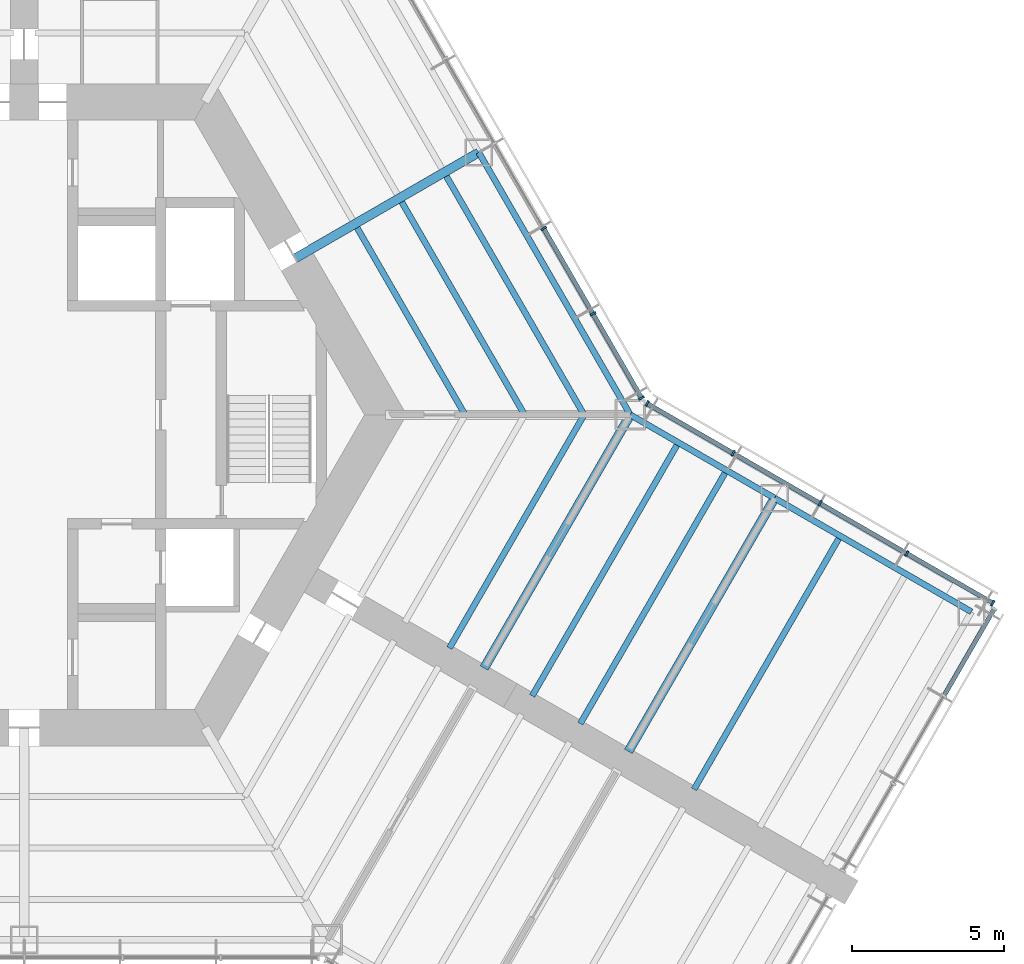
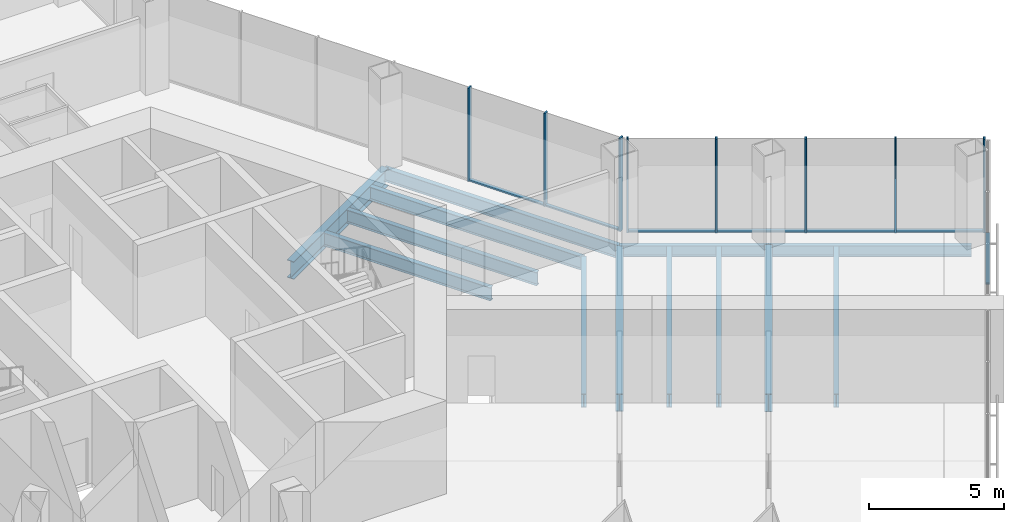
# One storey, part 5 of 15: 15 members, 13 beams, 3 elements without a shape of their own.
"""IFC4 building model written with IfcOpenShell, lengths in metres."""

from ifc_helpers import new_model, si_unit, direction, frame, origin, origin_2d, place, context, subcontext, project, spatial, rectangle, i_section, extrude, material, material_profile, profile_set, type_object, element, aggregate, save


model = new_model("IFC4")

# Units and contexts
model_context = context("Model", 3, precision=1e-05, world=origin(), true_north=direction((0.0, 1.0)))
body_context = subcontext(model_context, "Body", "Model", "MODEL_VIEW")
ifc_project = project(units=[si_unit("LENGTHUNIT", "METRE"), si_unit("AREAUNIT", "SQUARE_METRE"), si_unit("VOLUMEUNIT", "CUBIC_METRE"), si_unit("PLANEANGLEUNIT", "RADIAN"), si_unit("MASSUNIT", "GRAM", prefix="KILO")], contexts=[model_context])

# Site, building, storey
site_placement = place(None, origin())
site = spatial("IfcSite", under=ifc_project, at=site_placement, CompositionType="ELEMENT")
building_placement = place(site_placement, origin())
building = spatial("IfcBuilding", under=site, at=building_placement, Name="Kasaneha Research Tower", CompositionType="ELEMENT")
storey_placement = place(building_placement, frame((0.0, 0.0, 39.39990234375)))
storey = spatial("IfcBuildingStorey", under=building, at=storey_placement, Name="L10", CompositionType="ELEMENT", Elevation=39.39990234375)

# Beams
ifc_material_1 = material(Name="Steel SN490B", Category="steel")
ifc_material_profile_1 = material_profile(ifc_material_1, i_section(OverallWidth=0.199951171875, OverallDepth=0.60009765625, WebThickness=0.010986328125, FlangeThickness=0.01708984375, FilletRadius=0.012939453125, at=origin_2d()), Name="H-600x200x11x17")
ifc_profile_set_1 = profile_set([ifc_material_profile_1], Name="Steel SN490B")
beam_type_1 = type_object("IfcBeamType", Name="B1-2 secondary beam H-600x200x11x17", PredefinedType="JOIST", material=ifc_profile_set_1)
beam_1_placement = place(storey_placement, frame((14.54931640625, 0.0, -0.469970703125), z_axis=(-0.500016104636, 0.866016105569, 0.0), x_axis=(-0.866016105569, -0.500016104636, 0.0)))
element("IfcBeam", 1, at=beam_1_placement, inside=storey, type_object=beam_type_1, Name="Secondary beam RS030L1 L10", PredefinedType="JOIST", context=body_context, shape_type="SweptSolid", body=[
    extrude(i_section(OverallWidth=0.199951171875, OverallDepth=0.60009765625, WebThickness=0.010986328125, FlangeThickness=0.01708984375, FilletRadius=0.012939453125, at=origin_2d()), origin(), (0.0, 0.0, 1.0), 7.124755859375),
])
beam_2_placement = place(storey_placement, frame((16.51220703125, 0.0, -0.469970703125), z_axis=(-0.49999707157, 0.866027094508, 0.0), x_axis=(-0.866027094508, -0.49999707157, 0.0)))
element("IfcBeam", 2, at=beam_2_placement, inside=storey, type_object=beam_type_1, Name="Secondary beam RS030L2 L10", PredefinedType="JOIST", context=body_context, shape_type="SweptSolid", body=[
    extrude(i_section(OverallWidth=0.199951171875, OverallDepth=0.60009765625, WebThickness=0.010986328125, FlangeThickness=0.01708984375, FilletRadius=0.012939453125, at=origin_2d()), origin(), (0.0, 0.0, 1.0), 8.10595703125),
])
beam_3_placement = place(storey_placement, frame((18.47509765625, 0.0, -0.469970703125), z_axis=(-0.499990665392, 0.866030793056, 0.0), x_axis=(-0.866030793056, -0.499990665392, 0.0)))
element("IfcBeam", 3, at=beam_3_placement, inside=storey, type_object=beam_type_1, Name="Secondary beam RS030L3 L10", PredefinedType="JOIST", context=body_context, shape_type="SweptSolid", body=[
    extrude(i_section(OverallWidth=0.199951171875, OverallDepth=0.60009765625, WebThickness=0.010986328125, FlangeThickness=0.01708984375, FilletRadius=0.012939453125, at=origin_2d()), origin(), (0.0, 0.0, 1.0), 9.087646484375),
])
beam_4_placement = place(storey_placement, frame((18.47509765625, 0.0, -0.469970703125), z_axis=(-0.499988779951, -0.866031881586, 0.0), x_axis=(0.866031881586, -0.499988779951, 0.0)))
element("IfcBeam", 4, at=beam_4_placement, inside=storey, type_object=beam_type_1, Name="Secondary beam RS330R3 L10", PredefinedType="JOIST", context=body_context, shape_type="SweptSolid", body=[
    extrude(i_section(OverallWidth=0.199951171875, OverallDepth=0.60009765625, WebThickness=0.010986328125, FlangeThickness=0.01708984375, FilletRadius=0.012939453125, at=origin_2d()), origin(), (0.0, 0.0, 1.0), 8.887451171875),
])
ifc_material_2 = material(Name="Steel SN490B", Category="steel")
ifc_material_profile_2 = material_profile(ifc_material_2, i_section(OverallWidth=0.198974609375, OverallDepth=0.595947265625, WebThickness=0.010009765625, FlangeThickness=0.014892578125, FilletRadius=0.012939453125, at=origin_2d()), Name="H-596x199x10x15")
ifc_profile_set_2 = profile_set([ifc_material_profile_2], Name="Steel SN490B")
beam_type_2 = type_object("IfcBeamType", Name="B2-2 secondary beam H-596x199x10x15", PredefinedType="JOIST", material=ifc_profile_set_2)
beam_5_placement = place(storey_placement, frame((21.587646484375, -0.916748046875, -0.468017578125), z_axis=(-0.499994742786, -0.866028439017, 0.0), x_axis=(0.866028439017, -0.499994742786, 0.0)))
element("IfcBeam", 5, at=beam_5_placement, inside=storey, type_object=beam_type_2, Name="Secondary beam WBCN1 L10", PredefinedType="JOIST", context=body_context, shape_type="SweptSolid", body=[
    extrude(i_section(OverallWidth=0.198974609375, OverallDepth=0.595947265625, WebThickness=0.010009765625, FlangeThickness=0.014892578125, FilletRadius=0.012939453125, at=origin_2d()), origin(), (0.0, 0.0, 1.0), 9.64990234375),
])
beam_6_placement = place(storey_placement, frame((23.175537109375, -1.833251953125, -0.468017578125), z_axis=(-0.500013717211, -0.866017484004, 0.0), x_axis=(0.866017484004, -0.500013717211, 0.0)))
element("IfcBeam", 6, at=beam_6_placement, inside=storey, type_object=beam_type_2, Name="Secondary beam WBCN2 L10", PredefinedType="JOIST", context=body_context, shape_type="SweptSolid", body=[
    extrude(i_section(OverallWidth=0.198974609375, OverallDepth=0.595947265625, WebThickness=0.010009765625, FlangeThickness=0.014892578125, FilletRadius=0.012939453125, at=origin_2d()), origin(), (0.0, 0.0, 1.0), 9.650146484375),
])
beam_7_placement = place(storey_placement, frame((26.92822265625, -4.0, -0.468017578125), z_axis=(-0.499994742786, -0.866028439017, 0.0), x_axis=(0.866028439017, -0.499994742786, 0.0)))
element("IfcBeam", 7, at=beam_7_placement, inside=storey, type_object=beam_type_2, Name="Secondary beam WBCN3 L10", PredefinedType="JOIST", context=body_context, shape_type="SweptSolid", body=[
    extrude(i_section(OverallWidth=0.198974609375, OverallDepth=0.595947265625, WebThickness=0.010009765625, FlangeThickness=0.014892578125, FilletRadius=0.012939453125, at=origin_2d()), origin(), (0.0, 0.0, 1.0), 9.64990234375),
])

# Curtain wall, members
ifc_material_3 = material(Name="Glass and aluminium", Category="aluminium")
curtain_wall_type = type_object("IfcCurtainWallType", Name="Dry laboratory curtain wall", PredefinedType="USERDEFINED", material=ifc_material_3)
curtain_wall_1_placement = place(storey_placement, origin())
curtain_wall_1 = element("IfcCurtainWall", 8, at=curtain_wall_1_placement, inside=storey, type_object=curtain_wall_type, Name="CW-L2 L10 run 06a", ObjectType="UNITISED CURTAIN WALL", PredefinedType="USERDEFINED")
ifc_material_4 = material(Name="Aluminium 6063-T6", Category="aluminium")
ifc_material_profile_3 = material_profile(ifc_material_4, rectangle(XDim=0.06494140625, YDim=0.199951171875, at=origin_2d()), Name="CW-L2 mullion 65x200")
ifc_profile_set_3 = profile_set([ifc_material_profile_3], Name="Aluminium 6063-T6")
member_type_1 = type_object("IfcMemberType", Name="CW-L2 mullion", PredefinedType="MULLION", material=ifc_profile_set_3)
member_1_placement = place(storey_placement, frame((31.963134765625, -6.214111328125, 0.0), z_axis=(0.0, 0.0, 1.0), x_axis=(-0.866025411464, 0.499999986699, 0.0)))
member_1 = element("IfcMember", 9, at=member_1_placement, type_object=member_type_1, Name="CW-L2 mullion 1", PredefinedType="MULLION", context=body_context, shape_type="SweptSolid", body=[
    extrude(rectangle(XDim=0.06494140625, YDim=0.199951171875, at=origin_2d()), origin(), (0.0, 0.0, 1.0), 4.2001953125),
])
member_2_placement = place(storey_placement, frame((29.125, -4.575439453125, 0.0), z_axis=(0.0, 0.0, 1.0), x_axis=(-0.866025411464, 0.499999986699, 0.0)))
member_2 = element("IfcMember", 10, at=member_2_placement, type_object=member_type_1, Name="CW-L2 mullion 2", PredefinedType="MULLION", context=body_context, shape_type="SweptSolid", body=[
    extrude(rectangle(XDim=0.06494140625, YDim=0.199951171875, at=origin_2d()), origin(), (0.0, 0.0, 1.0), 4.2001953125),
])
member_3_placement = place(storey_placement, frame((26.258544921875, -2.920654296875, 0.0), z_axis=(0.0, 0.0, 1.0), x_axis=(-0.866025411464, 0.499999986699, 0.0)))
member_3 = element("IfcMember", 11, at=member_3_placement, type_object=member_type_1, Name="CW-L2 mullion 3", PredefinedType="MULLION", context=body_context, shape_type="SweptSolid", body=[
    extrude(rectangle(XDim=0.06494140625, YDim=0.199951171875, at=origin_2d()), origin(), (0.0, 0.0, 1.0), 4.2001953125),
])
member_4_placement = place(storey_placement, frame((23.39208984375, -1.265625, 0.0), z_axis=(0.0, 0.0, 1.0), x_axis=(-0.866025411464, 0.499999986699, 0.0)))
member_4 = element("IfcMember", 12, at=member_4_placement, type_object=member_type_1, Name="CW-L2 mullion 4", PredefinedType="MULLION", context=body_context, shape_type="SweptSolid", body=[
    extrude(rectangle(XDim=0.06494140625, YDim=0.199951171875, at=origin_2d()), origin(), (0.0, 0.0, 1.0), 4.2001953125),
])
member_5_placement = place(storey_placement, frame((20.553955078125, 0.373046875, 0.0), z_axis=(0.0, 0.0, 1.0), x_axis=(-0.866025411464, 0.499999986699, 0.0)))
member_5 = element("IfcMember", 13, at=member_5_placement, type_object=member_type_1, Name="CW-L2 mullion 5", PredefinedType="MULLION", context=body_context, shape_type="SweptSolid", body=[
    extrude(rectangle(XDim=0.06494140625, YDim=0.199951171875, at=origin_2d()), origin(), (0.0, 0.0, 1.0), 4.2001953125),
])

curtain_wall_2_placement = place(storey_placement, origin())
curtain_wall_2 = element("IfcCurtainWall", 14, at=curtain_wall_2_placement, inside=storey, type_object=curtain_wall_type, Name="CW-L2 L10 run 07a", ObjectType="UNITISED CURTAIN WALL", PredefinedType="USERDEFINED")
member_6_placement = place(storey_placement, frame((20.373046875, 0.553955078125, 0.0), z_axis=(0.0, 0.0, 1.0), x_axis=(-0.49999996188, 0.866025425793, 0.0)))
member_6 = element("IfcMember", 15, at=member_6_placement, type_object=member_type_1, Name="CW-L2 mullion 1", PredefinedType="MULLION", context=body_context, shape_type="SweptSolid", body=[
    extrude(rectangle(XDim=0.06494140625, YDim=0.199951171875, at=origin_2d()), origin(), (0.0, 0.0, 1.0), 4.2001953125),
])
member_7_placement = place(storey_placement, frame((18.76611328125, 3.33740234375, 0.0), z_axis=(0.0, 0.0, 1.0), x_axis=(-0.49999996188, 0.866025425793, 0.0)))
member_7 = element("IfcMember", 16, at=member_7_placement, type_object=member_type_1, Name="CW-L2 mullion 2", PredefinedType="MULLION", context=body_context, shape_type="SweptSolid", body=[
    extrude(rectangle(XDim=0.06494140625, YDim=0.199951171875, at=origin_2d()), origin(), (0.0, 0.0, 1.0), 4.2001953125),
])
member_8_placement = place(storey_placement, frame((17.142822265625, 6.148681640625, 0.0), z_axis=(0.0, 0.0, 1.0), x_axis=(-0.49999996188, 0.866025425793, 0.0)))
member_8 = element("IfcMember", 17, at=member_8_placement, type_object=member_type_1, Name="CW-L2 mullion 3", PredefinedType="MULLION", context=body_context, shape_type="SweptSolid", body=[
    extrude(rectangle(XDim=0.06494140625, YDim=0.199951171875, at=origin_2d()), origin(), (0.0, 0.0, 1.0), 4.2001953125),
])

# Curtain wall, member
curtain_wall_3_placement = place(storey_placement, origin())
curtain_wall_3 = element("IfcCurtainWall", 18, at=curtain_wall_3_placement, inside=storey, type_object=curtain_wall_type, Name="CW-L2 L10 run 05a", ObjectType="UNITISED CURTAIN WALL", PredefinedType="USERDEFINED")
ifc_material_5 = material(Name="Aluminium 6063-T6", Category="aluminium")
ifc_material_profile_4 = material_profile(ifc_material_5, rectangle(XDim=0.14990234375, YDim=0.06494140625, at=origin_2d()), Name="CW-L2 transom 150x65")
ifc_profile_set_4 = profile_set([ifc_material_profile_4], Name="Aluminium 6063-T6")
member_type_2 = type_object("IfcMemberType", Name="CW-L2 transom", PredefinedType="USERDEFINED", material=ifc_profile_set_4)
member_9_placement = place(storey_placement, frame((30.369140625, -9.239990234375, 0.03271484375), z_axis=(0.500006189695, 0.866021830133, 0.0), x_axis=(-0.866021830133, 0.500006189695, 0.0)))
member_9 = element("IfcMember", 19, at=member_9_placement, type_object=member_type_2, Name="CW-L2 transom 3", ObjectType="TRANSOM", PredefinedType="USERDEFINED", context=body_context, shape_type="SweptSolid", body=[
    extrude(rectangle(XDim=0.14990234375, YDim=0.06494140625, at=origin_2d()), origin(), (0.0, 0.0, 1.0), 3.25244140625),
])
aggregate(curtain_wall_3, [member_9])

# Member
member_10_placement = place(storey_placement, frame((31.93505859375, -6.197998046875, 0.03271484375), z_axis=(-0.866022320763, 0.500005339912, 0.0), x_axis=(-0.500005339912, -0.866022320763, 0.0)))
member_10 = element("IfcMember", 20, at=member_10_placement, type_object=member_type_2, Name="CW-L2 transom 1", ObjectType="TRANSOM", PredefinedType="USERDEFINED", context=body_context, shape_type="SweptSolid", body=[
    extrude(rectangle(XDim=0.14990234375, YDim=0.06494140625, at=origin_2d()), origin(), (0.0, 0.0, 1.0), 3.21240234375),
])

member_11_placement = place(storey_placement, frame((29.096923828125, -4.559326171875, 0.03271484375), z_axis=(-0.866021460221, 0.500006830391, 0.0), x_axis=(-0.500006830391, -0.866021460221, 0.0)))
member_11 = element("IfcMember", 21, at=member_11_placement, type_object=member_type_2, Name="CW-L2 transom 2", ObjectType="TRANSOM", PredefinedType="USERDEFINED", context=body_context, shape_type="SweptSolid", body=[
    extrude(rectangle(XDim=0.14990234375, YDim=0.06494140625, at=origin_2d()), origin(), (0.0, 0.0, 1.0), 3.2451171875),
])

member_12_placement = place(storey_placement, frame((26.23046875, -2.904296875, 0.03271484375), z_axis=(-0.866035229914, 0.499982980259, 0.0), x_axis=(-0.499982980259, -0.866035229914, 0.0)))
member_12 = element("IfcMember", 22, at=member_12_placement, type_object=member_type_2, Name="CW-L2 transom 3", ObjectType="TRANSOM", PredefinedType="USERDEFINED", context=body_context, shape_type="SweptSolid", body=[
    extrude(rectangle(XDim=0.14990234375, YDim=0.06494140625, at=origin_2d()), origin(), (0.0, 0.0, 1.0), 3.24462890625),
])

member_13_placement = place(storey_placement, frame((23.364013671875, -1.24951171875, 0.03271484375), z_axis=(-0.866022320763, 0.500005339912, 0.0), x_axis=(-0.500005339912, -0.866022320763, 0.0)))
member_13 = element("IfcMember", 23, at=member_13_placement, type_object=member_type_2, Name="CW-L2 transom 4", ObjectType="TRANSOM", PredefinedType="USERDEFINED", context=body_context, shape_type="SweptSolid", body=[
    extrude(rectangle(XDim=0.14990234375, YDim=0.06494140625, at=origin_2d()), origin(), (0.0, 0.0, 1.0), 3.21240234375),
])

aggregate(curtain_wall_1, [member_1, member_2, member_3, member_4, member_5, member_10, member_11, member_12, member_13])

member_14_placement = place(storey_placement, frame((20.356689453125, 0.58203125, 0.03271484375), z_axis=(-0.49999985423, 0.866025487945, 0.0), x_axis=(-0.866025487945, -0.49999985423, 0.0)))
member_14 = element("IfcMember", 24, at=member_14_placement, type_object=member_type_2, Name="CW-L2 transom 1", ObjectType="TRANSOM", PredefinedType="USERDEFINED", context=body_context, shape_type="SweptSolid", body=[
    extrude(rectangle(XDim=0.14990234375, YDim=0.06494140625, at=origin_2d()), origin(), (0.0, 0.0, 1.0), 3.14892578125),
])

member_15_placement = place(storey_placement, frame((18.749755859375, 3.365478515625, 0.03271484375), z_axis=(-0.499977104415, 0.866038622153, 0.0), x_axis=(-0.866038622153, -0.499977104415, 0.0)))
member_15 = element("IfcMember", 25, at=member_15_placement, type_object=member_type_2, Name="CW-L2 transom 2", ObjectType="TRANSOM", PredefinedType="USERDEFINED", context=body_context, shape_type="SweptSolid", body=[
    extrude(rectangle(XDim=0.14990234375, YDim=0.06494140625, at=origin_2d()), origin(), (0.0, 0.0, 1.0), 3.181396484375),
])

aggregate(curtain_wall_2, [member_6, member_7, member_8, member_14, member_15])

# Beams
ifc_material_6 = material(Name="Steel SN490B", Category="steel")
ifc_material_profile_5 = material_profile(ifc_material_6, i_section(OverallWidth=0.300048828125, OverallDepth=0.800048828125, WebThickness=0.013916015625, FlangeThickness=0.02587890625, FilletRadius=0.01806640625, at=origin_2d()), Name="H-800x300x14x26")
ifc_profile_set_5 = profile_set([ifc_material_profile_5], Name="Steel SN490B")
beam_type_3 = type_object("IfcBeamType", Name="G2-2 radial girder H-800x300x14x26", PredefinedType="BEAM", material=ifc_profile_set_5)
beam_8_placement = place(storey_placement, frame((8.941650390625, 5.16259765625, -0.56982421875), z_axis=(0.866039713508, 0.499975214012, 0.0), x_axis=(-0.499975214012, 0.866039713508, 0.0)))
element("IfcBeam", 26, at=beam_8_placement, inside=storey, type_object=beam_type_3, Name="Radial girder RM030 L10", PredefinedType="BEAM", context=body_context, shape_type="SweptSolid", body=[
    extrude(i_section(OverallWidth=0.300048828125, OverallDepth=0.800048828125, WebThickness=0.013916015625, FlangeThickness=0.02587890625, FilletRadius=0.01806640625, at=origin_2d()), origin(), (0.0, 0.0, 1.0), 6.995361328125),
])
ifc_material_7 = material(Name="Steel SN490B", Category="steel")
ifc_material_profile_6 = material_profile(ifc_material_7, i_section(OverallWidth=0.300048828125, OverallDepth=0.7919921875, WebThickness=0.013916015625, FlangeThickness=0.02197265625, FilletRadius=0.01806640625, at=origin_2d()), Name="H-792x300x14x22")
ifc_profile_set_6 = profile_set([ifc_material_profile_6], Name="Steel SN490B")
beam_type_4 = type_object("IfcBeamType", Name="G3-2 plate edge girder H-792x300x14x22", PredefinedType="BEAM", material=ifc_profile_set_6)
beam_9_placement = place(storey_placement, frame((20.0, 0.0, -0.56591796875), z_axis=(-0.499994742786, -0.866028439017, 0.0), x_axis=(0.866028439017, -0.499994742786, 0.0)))
element("IfcBeam", 27, at=beam_9_placement, inside=storey, type_object=beam_type_4, Name="Plate edge girder PECN L10", PredefinedType="BEAM", context=body_context, shape_type="SweptSolid", body=[
    extrude(i_section(OverallWidth=0.300048828125, OverallDepth=0.7919921875, WebThickness=0.013916015625, FlangeThickness=0.02197265625, FilletRadius=0.01806640625, at=origin_2d()), origin(), (0.0, 0.0, 1.0), 9.64990234375),
])
ifc_material_8 = material(Name="Steel SN490B", Category="steel")
ifc_material_profile_7 = material_profile(ifc_material_8, i_section(OverallWidth=0.300048828125, OverallDepth=0.800048828125, WebThickness=0.013916015625, FlangeThickness=0.02587890625, FilletRadius=0.01806640625, at=origin_2d()), Name="H-800x300x14x26")
ifc_profile_set_7 = profile_set([ifc_material_profile_7], Name="Steel SN490B")
beam_type_5 = type_object("IfcBeamType", Name="G4-2 wing girder H-800x300x14x26", PredefinedType="BEAM", material=ifc_profile_set_7)
beam_10_placement = place(storey_placement, frame((24.76318359375, -2.75, -0.56982421875), z_axis=(-0.499994742786, -0.866028439017, 0.0), x_axis=(0.866028439017, -0.499994742786, 0.0)))
element("IfcBeam", 28, at=beam_10_placement, inside=storey, type_object=beam_type_5, Name="Wing girder WGCN L10", PredefinedType="BEAM", context=body_context, shape_type="SweptSolid", body=[
    extrude(i_section(OverallWidth=0.300048828125, OverallDepth=0.800048828125, WebThickness=0.013916015625, FlangeThickness=0.02587890625, FilletRadius=0.01806640625, at=origin_2d()), origin(), (0.0, 0.0, 1.0), 9.64990234375),
])
ifc_material_9 = material(Name="Steel SN490B", Category="steel")
ifc_material_profile_8 = material_profile(ifc_material_9, i_section(OverallWidth=0.199951171875, OverallDepth=0.60009765625, WebThickness=0.010986328125, FlangeThickness=0.01708984375, FilletRadius=0.012939453125, at=origin_2d()), Name="H-600x200x11x17")
ifc_profile_set_8 = profile_set([ifc_material_profile_8], Name="Steel SN490B")
beam_type_6 = type_object("IfcBeamType", Name="SB1-2 spandrel beam H-600x200x11x17", PredefinedType="SPANDREL", material=ifc_profile_set_8)
beam_11_placement = place(storey_placement, frame((20.0, 0.0, -0.469970703125), z_axis=(-0.500004234368, 0.866022959057, 0.0), x_axis=(-0.866022959057, -0.500004234368, 0.0)))
element("IfcBeam", 29, at=beam_11_placement, inside=storey, type_object=beam_type_6, Name="Spandrel beam SR030L L10", PredefinedType="SPANDREL", context=body_context, shape_type="SweptSolid", body=[
    extrude(i_section(OverallWidth=0.199951171875, OverallDepth=0.60009765625, WebThickness=0.010986328125, FlangeThickness=0.01708984375, FilletRadius=0.012939453125, at=origin_2d()), origin(), (0.0, 0.0, 1.0), 10.0),
])
ifc_material_10 = material(Name="Steel SN490B", Category="steel")
ifc_material_profile_9 = material_profile(ifc_material_10, i_section(OverallWidth=0.199951171875, OverallDepth=0.5, WebThickness=0.010009765625, FlangeThickness=0.01611328125, FilletRadius=0.012939453125, at=origin_2d()), Name="H-500x200x10x16")
ifc_profile_set_9 = profile_set([ifc_material_profile_9], Name="Steel SN490B")
beam_type_7 = type_object("IfcBeamType", Name="SB2-2 spandrel beam H-500x200x10x16", PredefinedType="SPANDREL", material=ifc_profile_set_9)
beam_12_placement = place(storey_placement, frame((20.0, 0.0, -0.419921875), z_axis=(0.866027397988, -0.499996545922, 0.0), x_axis=(0.499996545922, 0.866027397988, 0.0)))
element("IfcBeam", 30, at=beam_12_placement, inside=storey, type_object=beam_type_7, Name="Spandrel beam WSCN1 L10", PredefinedType="SPANDREL", context=body_context, shape_type="SweptSolid", body=[
    extrude(i_section(OverallWidth=0.199951171875, OverallDepth=0.5, WebThickness=0.010009765625, FlangeThickness=0.01611328125, FilletRadius=0.012939453125, at=origin_2d()), origin(), (0.0, 0.0, 1.0), 5.5),
])
beam_13_placement = place(storey_placement, frame((24.76318359375, -2.75, -0.419921875), z_axis=(0.866022959057, -0.500004234368, 0.0), x_axis=(0.500004234368, 0.866022959057, 0.0)))
element("IfcBeam", 31, at=beam_13_placement, inside=storey, type_object=beam_type_7, Name="Spandrel beam WSCN2 L10", PredefinedType="SPANDREL", context=body_context, shape_type="SweptSolid", body=[
    extrude(i_section(OverallWidth=0.199951171875, OverallDepth=0.5, WebThickness=0.010009765625, FlangeThickness=0.01611328125, FilletRadius=0.012939453125, at=origin_2d()), origin(), (0.0, 0.0, 1.0), 7.5),
])

save(model, "model.ifc")
